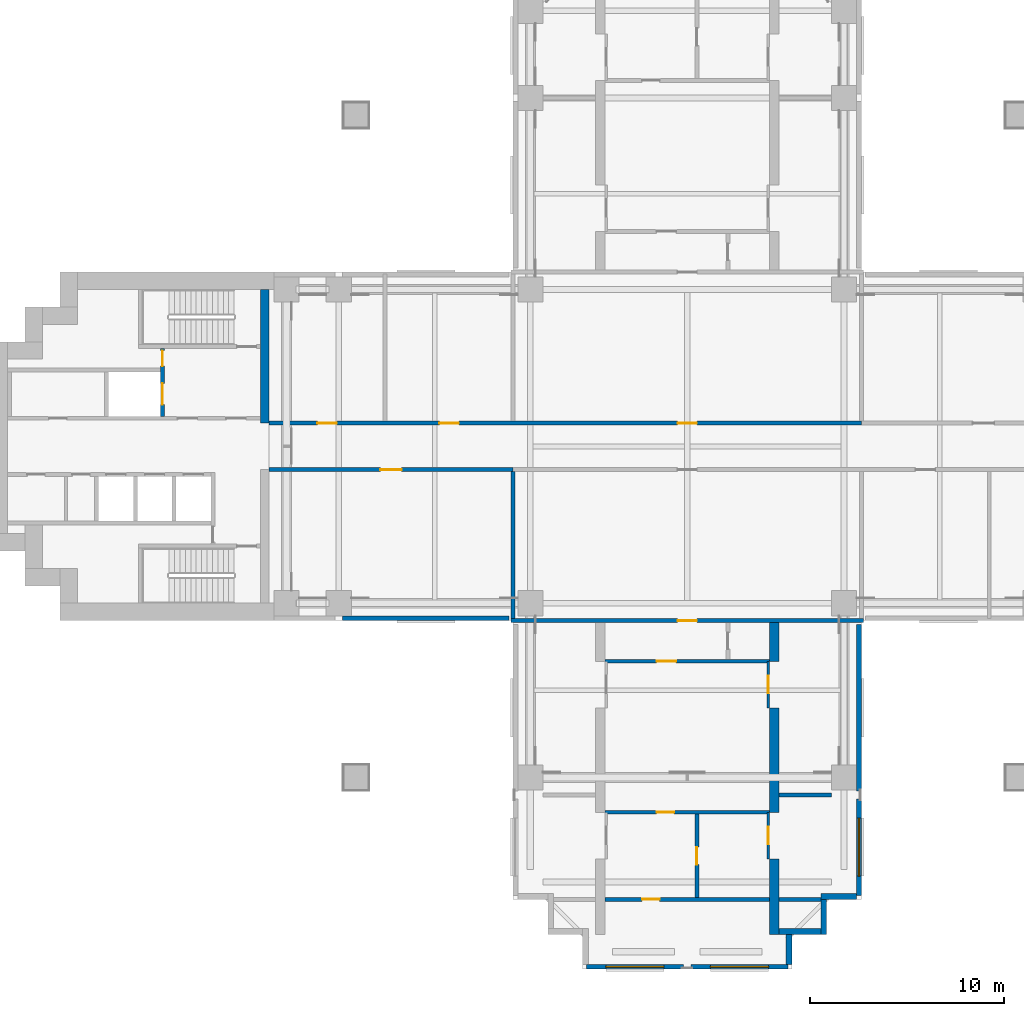
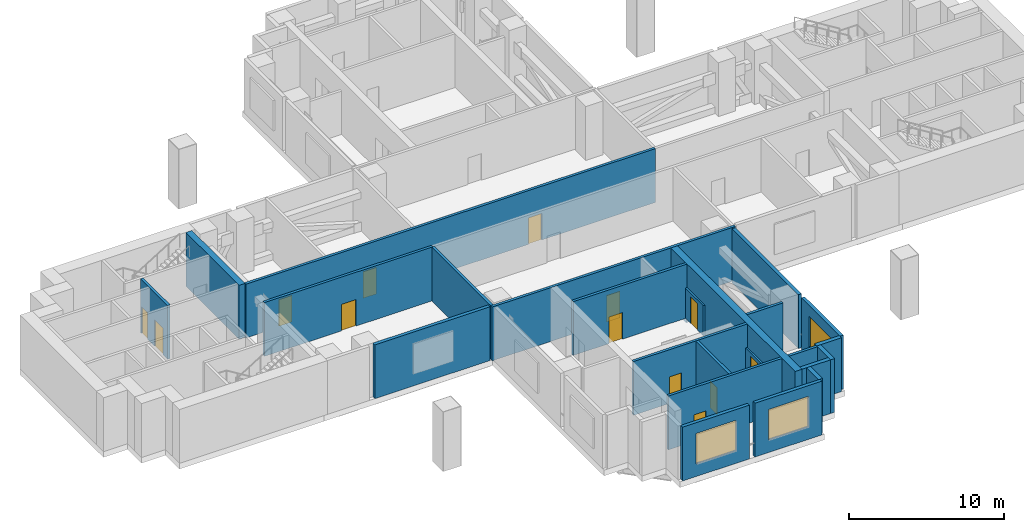
# One storey, part 4 of 10: 24 walls, 13 doors, 3 windows, 16 openings.
"""IFC4 building model written with IfcOpenShell, lengths in metres."""

from ifc_helpers import new_model, si_unit, direction, frame, frame_2d, origin, place, context, subcontext, project, spatial, polyline, rectangle, outline, extrude, material, layer, layer_set, material_profile, profile_set, type_object, element, fill, save


model = new_model("IFC4")

# Units and contexts
model_context = context("Model", 3, precision=1e-05, world=origin(), true_north=direction((0.0, 1.0)))
body_context = subcontext(model_context, "Body", "Model", "MODEL_VIEW")
ifc_project = project(units=[si_unit("LENGTHUNIT", "METRE"), si_unit("AREAUNIT", "SQUARE_METRE"), si_unit("VOLUMEUNIT", "CUBIC_METRE"), si_unit("PLANEANGLEUNIT", "RADIAN"), si_unit("MASSUNIT", "GRAM", prefix="KILO")], contexts=[model_context])

# Site, building, storey
site_placement = place(None, origin())
site = spatial("IfcSite", under=ifc_project, at=site_placement, CompositionType="ELEMENT")
building_placement = place(site_placement, origin())
building = spatial("IfcBuilding", under=site, at=building_placement, Name="Perihelion Cross Residences", CompositionType="ELEMENT")
storey_placement = place(building_placement, frame((0.0, 0.0, 97.89990234375)))
storey = spatial("IfcBuildingStorey", under=building, at=storey_placement, Name="L22", CompositionType="ELEMENT", Elevation=97.89990234375)

# Wall, openings, doors
ifc_material_1 = material(Name="Plasterboard partition")
ifc_layer_1 = layer(ifc_material_1, 0.199951171875)
ifc_layer_set_1 = layer_set([ifc_layer_1], Name="Apartment riser wall 200")
wall_type_1 = type_object("IfcWallType", Name="Apartment riser wall 200", PredefinedType="PARTITIONING", material=ifc_layer_set_1)
wall_1_placement = place(storey_placement, frame((-21.60009765625, 1.199951171875, 0.0), z_axis=(0.0, 0.0, 1.0), x_axis=(1.0, 0.0, 0.0)))
wall_1 = element("IfcWall", 1, at=wall_1_placement, inside=storey, type_object=wall_type_1, Name="Partition L22 W001", PredefinedType="PARTITIONING", context=body_context, shape_type="SweptSolid", body=[
    extrude(rectangle(XDim=30.60009765625, YDim=0.199951171875, at=frame_2d((15.300048828125, 0.0))), origin(), (0.0, 0.0, 1.0), 4.25),
])
opening_1_placement = place(wall_1_placement, frame((21.10009765625, 0.0, 0.0)))
opening_1 = element("IfcOpeningElement", 2, at=opening_1_placement, cuts=wall_1, Name="Opening L22.A01", PredefinedType="OPENING", context=body_context, shape_type="SweptSolid", body=[
    extrude(rectangle(XDim=1.0, YDim=2.10009765625, at=frame_2d((0.5, 1.050048828125))), frame((0.0, 0.10986328125, 0.0), z_axis=(0.0, -1.0, 0.0), x_axis=(1.0, 0.0, 0.0)), (0.0, 0.0, 1.0), 0.219970703125),
])
opening_2_placement = place(wall_1_placement, frame((8.800048828125, 0.0, 0.0)))
opening_2 = element("IfcOpeningElement", 3, at=opening_2_placement, cuts=wall_1, Name="Opening L22.A06", PredefinedType="OPENING", context=body_context, shape_type="SweptSolid", body=[
    extrude(rectangle(XDim=1.0, YDim=2.10009765625, at=frame_2d((0.5, 1.050048828125))), frame((0.0, 0.10986328125, 0.0), z_axis=(0.0, -1.0, 0.0), x_axis=(1.0, 0.0, 0.0)), (0.0, 0.0, 1.0), 0.219970703125),
])
opening_3_placement = place(wall_1_placement, frame((2.5, 0.0, 0.0)))
opening_3 = element("IfcOpeningElement", 4, at=opening_3_placement, cuts=wall_1, Name="Opening L22.A07", PredefinedType="OPENING", context=body_context, shape_type="SweptSolid", body=[
    extrude(rectangle(XDim=1.0, YDim=2.10009765625, at=frame_2d((0.5, 1.050048828125))), frame((0.0, 0.10986328125, 0.0), z_axis=(0.0, -1.0, 0.0), x_axis=(1.0, 0.0, 0.0)), (0.0, 0.0, 1.0), 0.219970703125),
])
ifc_material_2 = material(Name="Steel door leaf", Category="steel")
door_type_1 = type_object("IfcDoorType", Name="Plant floor door 1000 x 2100", OperationType="SINGLE_SWING_LEFT", PredefinedType="DOOR", material=ifc_material_2)
door_1_placement = place(opening_1_placement, origin())
door_1 = element("IfcDoor", 5, at=door_1_placement, inside=storey, type_object=door_type_1, Name="Door L22.A01", OperationType="SINGLE_SWING_LEFT", OverallHeight=2.10009765625, OverallWidth=1.0, PredefinedType="DOOR", context=body_context, shape_type="SweptSolid", body=[
    extrude(rectangle(XDim=1.0, YDim=2.10009765625, at=frame_2d((0.5, 1.050048828125))), frame((0.0, 0.02490234375, 0.0), z_axis=(0.0, -1.0, 0.0), x_axis=(1.0, 0.0, 0.0)), (0.0, 0.0, 1.0), 0.050048828125),
])
fill(opening_1, door_1)
door_2_placement = place(opening_2_placement, origin())
door_2 = element("IfcDoor", 6, at=door_2_placement, inside=storey, type_object=door_type_1, Name="Door L22.A06", OperationType="SINGLE_SWING_RIGHT", OverallHeight=2.10009765625, OverallWidth=1.0, PredefinedType="DOOR", context=body_context, shape_type="SweptSolid", body=[
    extrude(rectangle(XDim=1.0, YDim=2.10009765625, at=frame_2d((0.5, 1.050048828125))), frame((0.0, 0.02490234375, 0.0), z_axis=(0.0, -1.0, 0.0), x_axis=(1.0, 0.0, 0.0)), (0.0, 0.0, 1.0), 0.050048828125),
])
fill(opening_2, door_2)
door_3_placement = place(opening_3_placement, origin())
door_3 = element("IfcDoor", 7, at=door_3_placement, inside=storey, type_object=door_type_1, Name="Door L22.A07", OperationType="SINGLE_SWING_LEFT", OverallHeight=2.10009765625, OverallWidth=1.0, PredefinedType="DOOR", context=body_context, shape_type="SweptSolid", body=[
    extrude(rectangle(XDim=1.0, YDim=2.10009765625, at=frame_2d((0.5, 1.050048828125))), frame((0.0, 0.02490234375, 0.0), z_axis=(0.0, -1.0, 0.0), x_axis=(1.0, 0.0, 0.0)), (0.0, 0.0, 1.0), 0.050048828125),
])
fill(opening_3, door_3)

# Wall
wall_2_placement = place(storey_placement, frame((-9.0, -8.89990234375, 0.0), z_axis=(0.0, 0.0, 1.0), x_axis=(0.0, 1.0, 0.0)))
element("IfcWall", 8, at=wall_2_placement, inside=storey, type_object=wall_type_1, Name="Partition L22 W009", PredefinedType="PARTITIONING", context=body_context, shape_type="SweptSolid", body=[
    extrude(rectangle(XDim=7.599853515625, YDim=0.199951171875, at=frame_2d((3.7998046875, 0.0))), origin(), (0.0, 0.0, 1.0), 4.25),
])

# Wall, opening, door
wall_3_placement = place(storey_placement, frame((9.10009765625, -9.0, 0.0), z_axis=(0.0, 0.0, 1.0), x_axis=(-1.0, 0.0, 0.0)))
wall_3 = element("IfcWall", 9, at=wall_3_placement, inside=storey, type_object=wall_type_1, Name="Partition L22 W010", PredefinedType="PARTITIONING", context=body_context, shape_type="SweptSolid", body=[
    extrude(rectangle(XDim=18.2001953125, YDim=0.199951171875, at=frame_2d((9.10009765625, 0.0))), origin(), (0.0, 0.0, 1.0), 4.25),
])
opening_4_placement = place(wall_3_placement, frame((8.60009765625, 0.0, 0.0)))
opening_4 = element("IfcOpeningElement", 10, at=opening_4_placement, cuts=wall_3, Name="Opening L22.A15", PredefinedType="OPENING", context=body_context, shape_type="SweptSolid", body=[
    extrude(rectangle(XDim=1.0, YDim=2.10009765625, at=frame_2d((0.5, 1.050048828125))), frame((0.0, 0.10986328125, 0.0), z_axis=(0.0, -1.0, 0.0), x_axis=(1.0, 0.0, 0.0)), (0.0, 0.0, 1.0), 0.219970703125),
])
door_4_placement = place(opening_4_placement, origin())
door_4 = element("IfcDoor", 11, at=door_4_placement, inside=storey, type_object=door_type_1, Name="Door L22.A15", OperationType="SINGLE_SWING_LEFT", OverallHeight=2.10009765625, OverallWidth=1.0, PredefinedType="DOOR", context=body_context, shape_type="SweptSolid", body=[
    extrude(rectangle(XDim=1.0, YDim=2.10009765625, at=frame_2d((0.5, 1.050048828125))), frame((0.0, 0.02490234375, 0.0), z_axis=(0.0, -1.0, 0.0), x_axis=(1.0, 0.0, 0.0)), (0.0, 0.0, 1.0), 0.050048828125),
])
fill(opening_4, door_4)

wall_4_placement = place(storey_placement, frame((4.25, -11.10009765625, 0.0), z_axis=(0.0, 0.0, 1.0), x_axis=(-1.0, 0.0, 0.0)))
wall_4 = element("IfcWall", 12, at=wall_4_placement, inside=storey, type_object=wall_type_1, Name="Partition L22 W023", PredefinedType="PARTITIONING", context=body_context, shape_type="SweptSolid", body=[
    extrude(rectangle(XDim=8.5, YDim=0.199951171875, at=frame_2d((4.25, 0.0))), origin(), (0.0, 0.0, 1.0), 4.25),
])
opening_5_placement = place(wall_4_placement, frame((4.824951171875, 0.0, 0.0)))
opening_5 = element("IfcOpeningElement", 13, at=opening_5_placement, cuts=wall_4, Name="Opening L22.A17", PredefinedType="OPENING", context=body_context, shape_type="SweptSolid", body=[
    extrude(rectangle(XDim=1.0, YDim=2.10009765625, at=frame_2d((0.5, 1.050048828125))), frame((0.0, 0.10986328125, 0.0), z_axis=(0.0, -1.0, 0.0), x_axis=(1.0, 0.0, 0.0)), (0.0, 0.0, 1.0), 0.219970703125),
])
door_5_placement = place(opening_5_placement, origin())
door_5 = element("IfcDoor", 14, at=door_5_placement, inside=storey, type_object=door_type_1, Name="Door L22.A17", OperationType="SINGLE_SWING_RIGHT", OverallHeight=2.10009765625, OverallWidth=1.0, PredefinedType="DOOR", context=body_context, shape_type="SweptSolid", body=[
    extrude(rectangle(XDim=1.0, YDim=2.10009765625, at=frame_2d((0.5, 1.050048828125))), frame((0.0, 0.02490234375, 0.0), z_axis=(0.0, -1.0, 0.0), x_axis=(1.0, 0.0, 0.0)), (0.0, 0.0, 1.0), 0.050048828125),
])
fill(opening_5, door_5)

wall_5_placement = place(storey_placement, frame((4.25, -18.89990234375, 0.0), z_axis=(0.0, 0.0, 1.0), x_axis=(-1.0, 0.0, 0.0)))
wall_5 = element("IfcWall", 15, at=wall_5_placement, inside=storey, type_object=wall_type_1, Name="Partition L22 W024", PredefinedType="PARTITIONING", context=body_context, shape_type="SweptSolid", body=[
    extrude(rectangle(XDim=8.5, YDim=0.199951171875, at=frame_2d((4.25, 0.0))), origin(), (0.0, 0.0, 1.0), 4.25),
])
opening_6_placement = place(wall_5_placement, frame((4.925048828125, 0.0, 0.0)))
opening_6 = element("IfcOpeningElement", 16, at=opening_6_placement, cuts=wall_5, Name="Opening L22.A18", PredefinedType="OPENING", context=body_context, shape_type="SweptSolid", body=[
    extrude(rectangle(XDim=0.89990234375, YDim=2.10009765625, at=frame_2d((0.449951171875, 1.050048828125))), frame((0.0, 0.10986328125, 0.0), z_axis=(0.0, -1.0, 0.0), x_axis=(1.0, 0.0, 0.0)), (0.0, 0.0, 1.0), 0.219970703125),
])
ifc_material_3 = material(Name="Timber door leaf", Category="wood")
door_type_2 = type_object("IfcDoorType", Name="Interior room door 900 x 2100", OperationType="SINGLE_SWING_LEFT", PredefinedType="DOOR", material=ifc_material_3)
door_6_placement = place(opening_6_placement, origin())
door_6 = element("IfcDoor", 17, at=door_6_placement, inside=storey, type_object=door_type_2, Name="Door L22.A18", OperationType="SINGLE_SWING_LEFT", OverallHeight=2.10009765625, OverallWidth=0.89990234375, PredefinedType="DOOR", context=body_context, shape_type="SweptSolid", body=[
    extrude(rectangle(XDim=0.89990234375, YDim=2.10009765625, at=frame_2d((0.449951171875, 1.050048828125))), frame((0.0, 0.02490234375, 0.0), z_axis=(0.0, -1.0, 0.0), x_axis=(1.0, 0.0, 0.0)), (0.0, 0.0, 1.0), 0.050048828125),
])
fill(opening_6, door_6)

wall_6_placement = place(storey_placement, frame((0.5, -19.0, 0.0), z_axis=(0.0, 0.0, 1.0), x_axis=(0.0, -1.0, 0.0)))
wall_6 = element("IfcWall", 18, at=wall_6_placement, inside=storey, type_object=wall_type_1, Name="Partition L22 W025", PredefinedType="PARTITIONING", context=body_context, shape_type="SweptSolid", body=[
    extrude(rectangle(XDim=4.300048828125, YDim=0.199951171875, at=frame_2d((2.14990234375, 0.0))), origin(), (0.0, 0.0, 1.0), 4.25),
])
opening_7_placement = place(wall_6_placement, frame((1.699951171875, 0.0, 0.0)))
opening_7 = element("IfcOpeningElement", 19, at=opening_7_placement, cuts=wall_6, Name="Opening L22.A19", PredefinedType="OPENING", context=body_context, shape_type="SweptSolid", body=[
    extrude(rectangle(XDim=0.89990234375, YDim=2.10009765625, at=frame_2d((0.449951171875, 1.050048828125))), frame((0.0, 0.10986328125, 0.0), z_axis=(0.0, -1.0, 0.0), x_axis=(1.0, 0.0, 0.0)), (0.0, 0.0, 1.0), 0.219970703125),
])
door_7_placement = place(opening_7_placement, origin())
door_7 = element("IfcDoor", 20, at=door_7_placement, inside=storey, type_object=door_type_2, Name="Door L22.A19", OperationType="SINGLE_SWING_RIGHT", OverallHeight=2.10009765625, OverallWidth=0.89990234375, PredefinedType="DOOR", context=body_context, shape_type="SweptSolid", body=[
    extrude(rectangle(XDim=0.89990234375, YDim=2.10009765625, at=frame_2d((0.449951171875, 1.050048828125))), frame((0.0, 0.02490234375, 0.0), z_axis=(0.0, -1.0, 0.0), x_axis=(1.0, 0.0, 0.0)), (0.0, 0.0, 1.0), 0.050048828125),
])
fill(opening_7, door_7)

wall_7_placement = place(storey_placement, frame((4.25, -23.39990234375, 0.0), z_axis=(0.0, 0.0, 1.0), x_axis=(-1.0, 0.0, 0.0)))
wall_7 = element("IfcWall", 21, at=wall_7_placement, inside=storey, type_object=wall_type_1, Name="Partition L22 W026", PredefinedType="PARTITIONING", context=body_context, shape_type="SweptSolid", body=[
    extrude(rectangle(XDim=8.5, YDim=0.199951171875, at=frame_2d((4.25, 0.0))), origin(), (0.0, 0.0, 1.0), 4.25),
])
opening_8_placement = place(wall_7_placement, frame((5.675048828125, 0.0, 0.0)))
opening_8 = element("IfcOpeningElement", 22, at=opening_8_placement, cuts=wall_7, Name="Opening L22.A20", PredefinedType="OPENING", context=body_context, shape_type="SweptSolid", body=[
    extrude(rectangle(XDim=0.89990234375, YDim=2.10009765625, at=frame_2d((0.449951171875, 1.050048828125))), frame((0.0, 0.10986328125, 0.0), z_axis=(0.0, -1.0, 0.0), x_axis=(1.0, 0.0, 0.0)), (0.0, 0.0, 1.0), 0.219970703125),
])
door_8_placement = place(opening_8_placement, origin())
door_8 = element("IfcDoor", 23, at=door_8_placement, inside=storey, type_object=door_type_2, Name="Door L22.A20", OperationType="SINGLE_SWING_RIGHT", OverallHeight=2.10009765625, OverallWidth=0.89990234375, PredefinedType="DOOR", context=body_context, shape_type="SweptSolid", body=[
    extrude(rectangle(XDim=0.89990234375, YDim=2.10009765625, at=frame_2d((0.449951171875, 1.050048828125))), frame((0.0, 0.02490234375, 0.0), z_axis=(0.0, -1.0, 0.0), x_axis=(1.0, 0.0, 0.0)), (0.0, 0.0, 1.0), 0.050048828125),
])
fill(opening_8, door_8)

# Walls
wall_8_placement = place(storey_placement, frame((7.449951171875, -18.0, 0.0), z_axis=(0.0, 0.0, 1.0), x_axis=(-1.0, 0.0, 0.0)))
element("IfcWall", 24, at=wall_8_placement, inside=storey, type_object=wall_type_1, Name="Partition L22 W027", PredefinedType="PARTITIONING", context=body_context, shape_type="SweptSolid", body=[
    extrude(rectangle(XDim=2.699951171875, YDim=0.199951171875, at=frame_2d((1.35009765625, 0.0))), origin(), (0.0, 0.0, 1.0), 4.25),
])
wall_9_placement = place(storey_placement, frame((6.89990234375, -23.39990234375, 0.0), z_axis=(0.0, 0.0, 1.0), x_axis=(-1.0, 0.0, 0.0)))
element("IfcWall", 25, at=wall_9_placement, inside=storey, type_object=wall_type_1, Name="Partition L22 W028", PredefinedType="PARTITIONING", context=body_context, shape_type="SweptSolid", body=[
    extrude(rectangle(XDim=2.14990234375, YDim=0.199951171875, at=frame_2d((1.074951171875, 0.0))), origin(), (0.0, 0.0, 1.0), 4.25),
])

# Wall, opening, door
ifc_material_4 = material(Name="Plasterboard partition")
ifc_layer_2 = layer(ifc_material_4, 0.199951171875)
ifc_layer_set_2 = layer_set([ifc_layer_2], Name="Apartment separation wall 200")
wall_type_2 = type_object("IfcWallType", Name="Apartment separation wall 200", PredefinedType="PARTITIONING", material=ifc_layer_set_2)
wall_10_placement = place(storey_placement, frame((-9.0, -1.199951171875, 0.0), z_axis=(0.0, 0.0, 1.0), x_axis=(-1.0, 0.0, 0.0)))
wall_10 = element("IfcWall", 26, at=wall_10_placement, inside=storey, type_object=wall_type_2, Name="Partition L22 W004", PredefinedType="PARTITIONING", context=body_context, shape_type="SweptSolid", body=[
    extrude(rectangle(XDim=12.60009765625, YDim=0.199951171875, at=frame_2d((6.300048828125, 0.0))), origin(), (0.0, 0.0, 1.0), 4.25),
])
opening_9_placement = place(wall_10_placement, frame((5.75, 0.0, 0.0)))
opening_9 = element("IfcOpeningElement", 27, at=opening_9_placement, cuts=wall_10, Name="Opening L22.A08", PredefinedType="OPENING", context=body_context, shape_type="SweptSolid", body=[
    extrude(rectangle(XDim=1.10009765625, YDim=2.10009765625, at=frame_2d((0.550048828125, 1.050048828125))), frame((0.0, 0.10986328125, 0.0), z_axis=(0.0, -1.0, 0.0), x_axis=(1.0, 0.0, 0.0)), (0.0, 0.0, 1.0), 0.219970703125),
])
ifc_material_5 = material(Name="Steel door leaf", Category="steel")
door_type_3 = type_object("IfcDoorType", Name="Refuge room door 1100 x 2100", OperationType="SINGLE_SWING_LEFT", PredefinedType="DOOR", material=ifc_material_5)
door_9_placement = place(opening_9_placement, origin())
door_9 = element("IfcDoor", 28, at=door_9_placement, inside=storey, type_object=door_type_3, Name="Door L22.A08", OperationType="SINGLE_SWING_RIGHT", OverallHeight=2.10009765625, OverallWidth=1.10009765625, PredefinedType="DOOR", context=body_context, shape_type="SweptSolid", body=[
    extrude(rectangle(XDim=1.10009765625, YDim=2.10009765625, at=frame_2d((0.550048828125, 1.050048828125))), frame((0.0, 0.02490234375, 0.0), z_axis=(0.0, -1.0, 0.0), x_axis=(1.0, 0.0, 0.0)), (0.0, 0.0, 1.0), 0.050048828125),
])
fill(opening_9, door_9)

# Walls
ifc_material_6 = material(Name="Concrete C30/37, bronze-clad", Category="concrete")
ifc_layer_3 = layer(ifc_material_6, 0.300048828125)
ifc_layer_set_3 = layer_set([ifc_layer_3], Name="Bronze-clad serration wall 300")
wall_type_3 = type_object("IfcWallType", Name="Bronze-clad serration wall 300", PredefinedType="SOLIDWALL", material=ifc_layer_set_3)
wall_11_placement = place(storey_placement, frame((5.25, -26.75, 0.0), z_axis=(0.0, 0.0, 1.0), x_axis=(0.0, 1.0, 0.0)))
element("IfcWall", 29, at=wall_11_placement, inside=storey, type_object=wall_type_3, Name="Wall SR1 L22 south corner south-east 1", PredefinedType="SOLIDWALL", context=body_context, shape_type="SweptSolid", body=[
    extrude(rectangle(XDim=1.550048828125, YDim=0.300048828125, at=frame_2d((0.77490234375, 0.0))), origin(), (0.0, 0.0, 1.0), 4.25),
])
wall_12_placement = place(storey_placement, frame((4.75, -25.050048828125, 0.0), z_axis=(0.0, 0.0, 1.0), x_axis=(1.0, 0.0, 0.0)))
element("IfcWall", 30, at=wall_12_placement, inside=storey, type_object=wall_type_3, Name="Wall SR1 L22 south corner south-east 2", PredefinedType="SOLIDWALL", context=body_context, shape_type="SweptSolid", body=[
    extrude(rectangle(XDim=2.14990234375, YDim=0.300048828125, at=frame_2d((1.074951171875, 0.0))), origin(), (0.0, 0.0, 1.0), 4.25),
])
wall_13_placement = place(storey_placement, frame((7.050048828125, -25.199951171875, 0.0), z_axis=(0.0, 0.0, 1.0), x_axis=(0.0, 1.0, 0.0)))
element("IfcWall", 31, at=wall_13_placement, inside=storey, type_object=wall_type_3, Name="Wall SR1 L22 south corner south-east 3", PredefinedType="SOLIDWALL", context=body_context, shape_type="SweptSolid", body=[
    extrude(rectangle(XDim=1.800048828125, YDim=0.300048828125, at=frame_2d((0.89990234375, 0.0))), origin(), (0.0, 0.0, 1.0), 4.25),
])
wall_14_placement = place(storey_placement, frame((6.89990234375, -23.25, 0.0), z_axis=(0.0, 0.0, 1.0), x_axis=(1.0, 0.0, 0.0)))
element("IfcWall", 32, at=wall_14_placement, inside=storey, type_object=wall_type_3, Name="Wall SR1 L22 south corner south-east 4", PredefinedType="SOLIDWALL", context=body_context, shape_type="SweptSolid", body=[
    extrude(rectangle(XDim=1.85009765625, YDim=0.300048828125, at=frame_2d((0.925048828125, 0.0))), origin(), (0.0, 0.0, 1.0), 4.25),
])
ifc_material_7 = material(Name="Concrete C60/75", Category="concrete")
ifc_layer_4 = layer(ifc_material_7, 0.449951171875)
ifc_layer_set_4 = layer_set([ifc_layer_4], Name="Core wall, inner 450")
wall_type_4 = type_object("IfcWallType", Name="Core wall, inner 450", PredefinedType="SHEAR", material=ifc_layer_set_4)
wall_15_placement = place(storey_placement, frame((-21.824951171875, 1.199951171875, 0.0), z_axis=(0.0, 0.0, 1.0), x_axis=(0.0, 1.0, 0.0)))
element("IfcWall", 33, at=wall_15_placement, inside=storey, type_object=wall_type_4, Name="West core core wall, inner", PredefinedType="SHEAR", context=body_context, shape_type="SweptSolid", body=[
    extrude(rectangle(XDim=6.900146484375, YDim=0.449951171875, at=frame_2d((3.4501953125, 0.0))), origin(), (0.0, 0.0, 1.0), 4.25),
])

# Wall, opening, door
ifc_material_8 = material(Name="Plasterboard partition")
ifc_layer_5 = layer(ifc_material_8, 0.1201171875)
ifc_layer_set_5 = layer_set([ifc_layer_5], Name="Infill panel 120")
wall_type_5 = type_object("IfcWallType", Name="Infill panel 120", PredefinedType="PARTITIONING", material=ifc_layer_set_5)
wall_16_placement = place(storey_placement, frame((4.18994140625, -11.10009765625, 0.0), z_axis=(0.0, 0.0, 1.0), x_axis=(0.0, -1.0, 0.0)))
wall_16 = element("IfcWall", 34, at=wall_16_placement, inside=storey, type_object=wall_type_5, Name="Partition L22 WI05", PredefinedType="PARTITIONING", context=body_context, shape_type="SweptSolid", body=[
    extrude(rectangle(XDim=2.39990234375, YDim=0.1201171875, at=frame_2d((1.199951171875, 0.0))), origin(), (0.0, 0.0, 1.0), 2.400146484375),
])
opening_10_placement = place(wall_16_placement, frame((0.75, 0.0, 0.0)))
opening_10 = element("IfcOpeningElement", 35, at=opening_10_placement, cuts=wall_16, Name="Opening L22.A25", PredefinedType="OPENING", context=body_context, shape_type="SweptSolid", body=[
    extrude(rectangle(XDim=0.89990234375, YDim=2.10009765625, at=frame_2d((0.449951171875, 1.050048828125))), frame((0.0, 0.070068359375, 0.0), z_axis=(0.0, -1.0, 0.0), x_axis=(1.0, 0.0, 0.0)), (0.0, 0.0, 1.0), 0.14013671875),
])
door_10_placement = place(opening_10_placement, origin())
door_10 = element("IfcDoor", 36, at=door_10_placement, inside=storey, type_object=door_type_2, Name="Door L22.A25", OperationType="SINGLE_SWING_RIGHT", OverallHeight=2.10009765625, OverallWidth=0.89990234375, PredefinedType="DOOR", context=body_context, shape_type="SweptSolid", body=[
    extrude(rectangle(XDim=0.89990234375, YDim=2.10009765625, at=frame_2d((0.449951171875, 1.050048828125))), frame((0.0, 0.02490234375, 0.0), z_axis=(0.0, -1.0, 0.0), x_axis=(1.0, 0.0, 0.0)), (0.0, 0.0, 1.0), 0.050048828125),
])
fill(opening_10, door_10)

wall_17_placement = place(storey_placement, frame((4.18994140625, -18.89990234375, 0.0), z_axis=(0.0, 0.0, 1.0), x_axis=(0.0, -1.0, 0.0)))
wall_17 = element("IfcWall", 37, at=wall_17_placement, inside=storey, type_object=wall_type_5, Name="Partition L22 WI06", PredefinedType="PARTITIONING", context=body_context, shape_type="SweptSolid", body=[
    extrude(rectangle(XDim=2.400146484375, YDim=0.1201171875, at=frame_2d((1.2001953125, 0.0))), origin(), (0.0, 0.0, 1.0), 2.400146484375),
])
opening_11_placement = place(wall_17_placement, frame((0.75, 0.0, 0.0)))
opening_11 = element("IfcOpeningElement", 38, at=opening_11_placement, cuts=wall_17, Name="Opening L22.A26", PredefinedType="OPENING", context=body_context, shape_type="SweptSolid", body=[
    extrude(rectangle(XDim=0.89990234375, YDim=2.10009765625, at=frame_2d((0.449951171875, 1.050048828125))), frame((0.0, 0.070068359375, 0.0), z_axis=(0.0, -1.0, 0.0), x_axis=(1.0, 0.0, 0.0)), (0.0, 0.0, 1.0), 0.14013671875),
])
door_11_placement = place(opening_11_placement, origin())
door_11 = element("IfcDoor", 39, at=door_11_placement, inside=storey, type_object=door_type_2, Name="Door L22.A26", OperationType="SINGLE_SWING_LEFT", OverallHeight=2.10009765625, OverallWidth=0.89990234375, PredefinedType="DOOR", context=body_context, shape_type="SweptSolid", body=[
    extrude(rectangle(XDim=0.89990234375, YDim=2.10009765625, at=frame_2d((0.449951171875, 1.050048828125))), frame((0.0, 0.02490234375, 0.0), z_axis=(0.0, -1.0, 0.0), x_axis=(1.0, 0.0, 0.0)), (0.0, 0.0, 1.0), 0.050048828125),
])
fill(opening_11, door_11)

# Wall
ifc_material_9 = material(Name="Concrete C30/37, bronze-clad", Category="concrete")
ifc_layer_6 = layer(ifc_material_9, 0.25)
ifc_layer_set_6 = layer_set([ifc_layer_6], Name="Louvre bay wall 250")
wall_type_6 = type_object("IfcWallType", Name="Louvre bay wall 250", PredefinedType="SOLIDWALL", material=ifc_layer_set_6)
wall_18_placement = place(storey_placement, frame((-17.800048828125, -8.875, 0.0), z_axis=(0.0, 0.0, 1.0), x_axis=(1.0, 0.0, 0.0)))
element("IfcWall", 40, at=wall_18_placement, inside=storey, type_object=wall_type_6, Name="Wall FW2 L22 west side south bay 2 louvre", PredefinedType="SOLIDWALL", context=body_context, shape_type="SweptSolid", body=[
    extrude(rectangle(XDim=8.60009765625, YDim=0.25, at=frame_2d((4.300048828125, 0.0))), origin(), (0.0, 0.0, 1.0), 4.25),
])

# Wall, opening, window
wall_19_placement = place(storey_placement, frame((-5.199951171875, -26.875, 0.0), z_axis=(0.0, 0.0, 1.0), x_axis=(1.0, 0.0, 0.0)))
wall_19 = element("IfcWall", 41, at=wall_19_placement, inside=storey, type_object=wall_type_6, Name="Wall FW2 L22 south tip south bay 1 louvre", PredefinedType="SOLIDWALL", context=body_context, shape_type="SweptSolid", body=[
    extrude(rectangle(XDim=5.0, YDim=0.25, at=frame_2d((2.5, 0.0))), origin(), (0.0, 0.0, 1.0), 4.25),
])
opening_12_placement = place(wall_19_placement, frame((1.0, 0.0, 1.0)))
opening_12 = element("IfcOpeningElement", 42, at=opening_12_placement, cuts=wall_19, Name="Opening L22.W02", PredefinedType="OPENING", context=body_context, shape_type="SweptSolid", body=[
    extrude(rectangle(XDim=3.0, YDim=2.39990234375, at=frame_2d((1.5, 1.199951171875))), frame((0.0, 0.135009765625, 0.0), z_axis=(0.0, -1.0, 0.0), x_axis=(1.0, 0.0, 0.0)), (0.0, 0.0, 1.0), 0.27001953125),
])
ifc_material_10 = material(Name="Bronze anodised aluminium, louvred", Category="aluminium")
window_type = type_object("IfcWindowType", Name="Louvred vent 3000 x 2400", PartitioningType="SINGLE_PANEL", PredefinedType="WINDOW", material=ifc_material_10)
window_1_placement = place(opening_12_placement, origin())
window_1 = element("IfcWindow", 43, at=window_1_placement, inside=storey, type_object=window_type, Name="Window L22.W02 south tip south bay 1 vent", OverallHeight=2.39990234375, OverallWidth=3.0, PartitioningType="SINGLE_PANEL", PredefinedType="WINDOW", context=body_context, shape_type="SweptSolid", body=[
    extrude(rectangle(XDim=3.0, YDim=2.39990234375, at=frame_2d((1.5, 1.199951171875))), frame((0.0, 0.030029296875, 0.0), z_axis=(0.0, -1.0, 0.0), x_axis=(1.0, 0.0, 0.0)), (0.0, 0.0, 1.0), 0.06005859375),
])
fill(opening_12, window_1)

wall_20_placement = place(storey_placement, frame((0.199951171875, -26.875, 0.0), z_axis=(0.0, 0.0, 1.0), x_axis=(1.0, 0.0, 0.0)))
wall_20 = element("IfcWall", 44, at=wall_20_placement, inside=storey, type_object=wall_type_6, Name="Wall FW2 L22 south tip south bay 2 louvre", PredefinedType="SOLIDWALL", context=body_context, shape_type="SweptSolid", body=[
    extrude(rectangle(XDim=5.0, YDim=0.25, at=frame_2d((2.5, 0.0))), origin(), (0.0, 0.0, 1.0), 4.25),
])
opening_13_placement = place(wall_20_placement, frame((1.0, 0.0, 1.0)))
opening_13 = element("IfcOpeningElement", 45, at=opening_13_placement, cuts=wall_20, Name="Opening L22.W03", PredefinedType="OPENING", context=body_context, shape_type="SweptSolid", body=[
    extrude(rectangle(XDim=3.0, YDim=2.39990234375, at=frame_2d((1.5, 1.199951171875))), frame((0.0, 0.135009765625, 0.0), z_axis=(0.0, -1.0, 0.0), x_axis=(1.0, 0.0, 0.0)), (0.0, 0.0, 1.0), 0.27001953125),
])
window_2_placement = place(opening_13_placement, origin())
window_2 = element("IfcWindow", 46, at=window_2_placement, inside=storey, type_object=window_type, Name="Window L22.W03 south tip south bay 2 vent", OverallHeight=2.39990234375, OverallWidth=3.0, PartitioningType="SINGLE_PANEL", PredefinedType="WINDOW", context=body_context, shape_type="SweptSolid", body=[
    extrude(rectangle(XDim=3.0, YDim=2.39990234375, at=frame_2d((1.5, 1.199951171875))), frame((0.0, 0.030029296875, 0.0), z_axis=(0.0, -1.0, 0.0), x_axis=(1.0, 0.0, 0.0)), (0.0, 0.0, 1.0), 0.06005859375),
])
fill(opening_13, window_2)

wall_21_placement = place(storey_placement, frame((8.875, -23.199951171875, 0.0), z_axis=(0.0, 0.0, 1.0), x_axis=(0.0, 1.0, 0.0)))
wall_21 = element("IfcWall", 47, at=wall_21_placement, inside=storey, type_object=wall_type_6, Name="Wall FW2 L22 south side east bay 1 louvre", PredefinedType="SOLIDWALL", context=body_context, shape_type="SweptSolid", body=[
    extrude(rectangle(XDim=5.0, YDim=0.25, at=frame_2d((2.5, 0.0))), origin(), (0.0, 0.0, 1.0), 4.25),
])
opening_14_placement = place(wall_21_placement, frame((1.0, 0.0, 1.0)))
opening_14 = element("IfcOpeningElement", 48, at=opening_14_placement, cuts=wall_21, Name="Opening L22.W04", PredefinedType="OPENING", context=body_context, shape_type="SweptSolid", body=[
    extrude(rectangle(XDim=3.0, YDim=2.39990234375, at=frame_2d((1.5, 1.199951171875))), frame((0.0, 0.135009765625, 0.0), z_axis=(0.0, -1.0, 0.0), x_axis=(1.0, 0.0, 0.0)), (0.0, 0.0, 1.0), 0.27001953125),
])
window_3_placement = place(opening_14_placement, origin())
window_3 = element("IfcWindow", 49, at=window_3_placement, inside=storey, type_object=window_type, Name="Window L22.W04 south side east bay 1 vent", OverallHeight=2.39990234375, OverallWidth=3.0, PartitioningType="SINGLE_PANEL", PredefinedType="WINDOW", context=body_context, shape_type="SweptSolid", body=[
    extrude(rectangle(XDim=3.0, YDim=2.39990234375, at=frame_2d((1.5, 1.199951171875))), frame((0.0, 0.030029296875, 0.0), z_axis=(0.0, -1.0, 0.0), x_axis=(1.0, 0.0, 0.0)), (0.0, 0.0, 1.0), 0.06005859375),
])
fill(opening_14, window_3)

# Wall
wall_22_placement = place(storey_placement, frame((8.875, -17.800048828125, 0.0), z_axis=(0.0, 0.0, 1.0), x_axis=(0.0, 1.0, 0.0)))
element("IfcWall", 50, at=wall_22_placement, inside=storey, type_object=wall_type_6, Name="Wall FW2 L22 south side east bay 2 louvre", PredefinedType="SOLIDWALL", context=body_context, shape_type="SweptSolid", body=[
    extrude(rectangle(XDim=8.60009765625, YDim=0.25, at=frame_2d((4.300048828125, 0.0))), origin(), (0.0, 0.0, 1.0), 4.25),
])

# Wall, openings, doors
ifc_material_11 = material(Name="Concrete C50/60", Category="concrete")
ifc_layer_7 = layer(ifc_material_11, 0.199951171875)
ifc_layer_set_7 = layer_set([ifc_layer_7], Name="Shaft wall 200")
wall_type_7 = type_object("IfcWallType", Name="Shaft wall 200", PredefinedType="SOLIDWALL", material=ifc_layer_set_7)
wall_23_placement = place(storey_placement, frame((-27.10009765625, 1.550048828125, 0.0), z_axis=(0.0, 0.0, 1.0), x_axis=(0.0, 1.0, 0.0)))
wall_23 = element("IfcWall", 51, at=wall_23_placement, inside=storey, type_object=wall_type_7, Name="West core shaft wall", PredefinedType="SOLIDWALL", context=body_context, shape_type="SweptSolid", body=[
    extrude(rectangle(XDim=3.5, YDim=0.199951171875, at=frame_2d((1.75, 0.0))), origin(), (0.0, 0.0, 1.0), 4.25),
])
opening_15_placement = place(wall_23_placement, frame((0.60009765625, 0.0, 0.0)))
opening_15 = element("IfcOpeningElement", 52, at=opening_15_placement, cuts=wall_23, Name="Opening L22.C15", PredefinedType="OPENING", context=body_context, shape_type="SweptSolid", body=[
    extrude(rectangle(XDim=1.10009765625, YDim=2.10009765625, at=frame_2d((0.550048828125, 1.050048828125))), frame((0.0, 0.10986328125, 0.0), z_axis=(0.0, -1.0, 0.0), x_axis=(1.0, 0.0, 0.0)), (0.0, 0.0, 1.0), 0.219970703125),
])
opening_16_placement = place(wall_23_placement, frame((2.60009765625, 0.0, 0.0)))
opening_16 = element("IfcOpeningElement", 53, at=opening_16_placement, cuts=wall_23, Name="Opening L22.C23", PredefinedType="OPENING", context=body_context, shape_type="SweptSolid", body=[
    extrude(rectangle(XDim=0.800048828125, YDim=2.10009765625, at=frame_2d((0.39990234375, 1.050048828125))), frame((0.0, 0.10986328125, 0.0), z_axis=(0.0, -1.0, 0.0), x_axis=(1.0, 0.0, 0.0)), (0.0, 0.0, 1.0), 0.219970703125),
])
ifc_material_12 = material(Name="Stainless steel", Category="steel")
door_type_4 = type_object("IfcDoorType", Name="Landing door, firefighting lift 1100", OperationType="DOUBLE_DOOR_SLIDING", PredefinedType="DOOR", material=ifc_material_12)
door_12_placement = place(opening_15_placement, origin())
door_12 = element("IfcDoor", 54, at=door_12_placement, inside=storey, type_object=door_type_4, Name="Landing door, West core firefighting and service lift", OperationType="DOUBLE_DOOR_SLIDING", OverallHeight=2.10009765625, OverallWidth=1.10009765625, PredefinedType="DOOR", context=body_context, shape_type="SweptSolid", body=[
    extrude(rectangle(XDim=1.10009765625, YDim=2.10009765625, at=frame_2d((0.550048828125, 1.050048828125))), frame((0.0, 0.02490234375, 0.0), z_axis=(0.0, -1.0, 0.0), x_axis=(1.0, 0.0, 0.0)), (0.0, 0.0, 1.0), 0.050048828125),
])
fill(opening_15, door_12)
ifc_material_13 = material(Name="Steel, powder coated", Category="steel")
door_type_5 = type_object("IfcDoorType", Name="Riser door 800", OperationType="SINGLE_SWING_LEFT", PredefinedType="DOOR", material=ifc_material_13)
door_13_placement = place(opening_16_placement, origin())
door_13 = element("IfcDoor", 55, at=door_13_placement, inside=storey, type_object=door_type_5, Name="West core riser door", OperationType="SINGLE_SWING_LEFT", OverallHeight=2.10009765625, OverallWidth=0.800048828125, PredefinedType="DOOR", context=body_context, shape_type="SweptSolid", body=[
    extrude(rectangle(XDim=0.800048828125, YDim=2.10009765625, at=frame_2d((0.39990234375, 1.050048828125))), frame((0.0, 0.02490234375, 0.0), z_axis=(0.0, -1.0, 0.0), x_axis=(1.0, 0.0, 0.0)), (0.0, 0.0, 1.0), 0.050048828125),
])
fill(opening_16, door_13)

# Wall
ifc_material_14 = material(Name="Concrete C60/75", Category="concrete")
ifc_material_profile = material_profile(ifc_material_14, outline(polyline([(0.0, 0.0), (3.89990234375, 0.0), (3.89990234375, 2.85009765625), (6.300048828125, 2.85009765625), (6.300048828125, 0.0), (11.699951171875, 0.0), (11.699951171875, 2.85009765625), (14.10009765625, 2.85009765625), (14.10009765625, 0.0), (16.199951171875, 0.0), (16.199951171875, 4.699951171875), (0.0, 4.699951171875), (0.0, 0.0)])), Name="Tip spine wall")
ifc_profile_set = profile_set([ifc_material_profile], Name="Concrete C60/75")
wall_type_8 = type_object("IfcWallType", Name="Tip spine wall 500 with 2 door openings 16200 long 4700 high concrete C60/75", PredefinedType="SHEAR", material=ifc_profile_set)
wall_24_placement = place(storey_placement, frame((4.25, -25.199951171875, -0.449951171875), z_axis=(1.0, 0.0, 0.0), x_axis=(0.0, 1.0, 0.0)))
element("IfcWall", 56, at=wall_24_placement, inside=storey, type_object=wall_type_8, Name="Shear wall SW31 L22 south east", PredefinedType="SHEAR", context=body_context, shape_type="SweptSolid", body=[
    extrude(outline(polyline([(0.0, 0.0), (3.89990234375, 0.0), (3.89990234375, 2.85009765625), (6.300048828125, 2.85009765625), (6.300048828125, 0.0), (11.699951171875, 0.0), (11.699951171875, 2.85009765625), (14.10009765625, 2.85009765625), (14.10009765625, 0.0), (16.199951171875, 0.0), (16.199951171875, 4.699951171875), (0.0, 4.699951171875), (0.0, 0.0)])), origin(), (0.0, 0.0, 1.0), 0.5),
])

save(model, "model.ifc")
